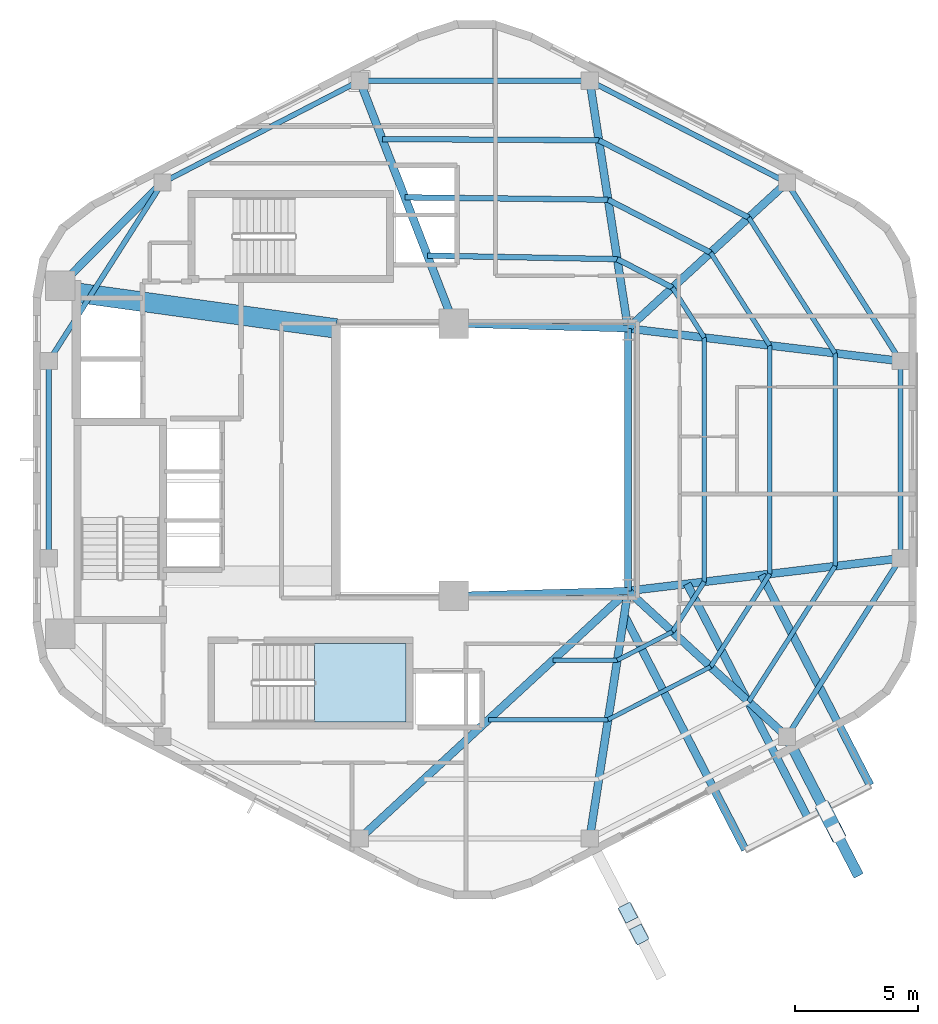
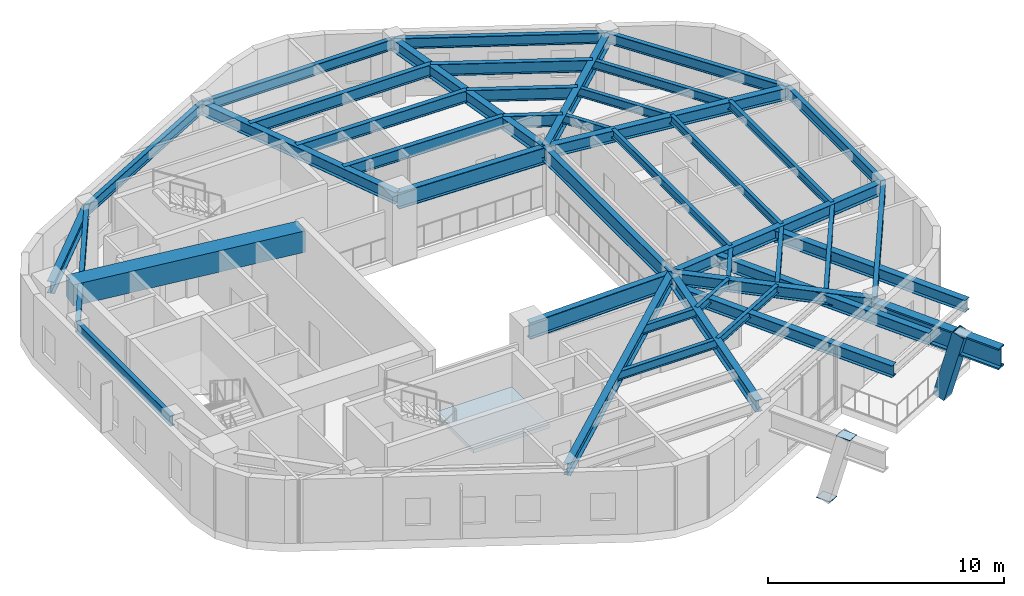
# One storey, part 3 of 9: 44 beams, 2 plates, 1 member, 1 slab, 1 element without a shape of its own.
"""IFC4 building model written with IfcOpenShell, lengths in metres."""

from ifc_helpers import new_model, si_unit, direction, frame, origin, origin_2d, place, context, subcontext, project, spatial, polyline, rectangle, hollow_rectangle, i_section, outline, extrude, material, layer, layer_set, material_profile, profile_set, type_object, element, aggregate, save


model = new_model("IFC4")

# Units and contexts
model_context = context("Model", 3, precision=1e-05, world=origin(), true_north=direction((0.0, 1.0)))
body_context = subcontext(model_context, "Body", "Model", "MODEL_VIEW")
ifc_project = project(units=[si_unit("LENGTHUNIT", "METRE"), si_unit("AREAUNIT", "SQUARE_METRE"), si_unit("VOLUMEUNIT", "CUBIC_METRE"), si_unit("PLANEANGLEUNIT", "RADIAN"), si_unit("MASSUNIT", "GRAM", prefix="KILO"), si_unit("THERMODYNAMICTEMPERATUREUNIT", "KELVIN"), si_unit("POWERUNIT", "WATT")], contexts=[model_context])

# Site, building, storey
site_placement = place(None, origin())
site = spatial("IfcSite", under=ifc_project, at=site_placement, CompositionType="ELEMENT")
building_placement = place(site_placement, origin())
building = spatial("IfcBuilding", under=site, at=building_placement, Name="Skarre Station Tower", CompositionType="ELEMENT")
storey_placement = place(building_placement, frame((0.0, 0.0, 220.60009765625)))
storey = spatial("IfcBuildingStorey", under=building, at=storey_placement, Name="L60", CompositionType="ELEMENT", Elevation=220.60009765625)

# Beams
ifc_material_1 = material(Name="Concrete C70/85", Category="concrete")
ifc_material_profile_1 = material_profile(ifc_material_1, rectangle(XDim=0.800048828125, YDim=1.10009765625, at=origin_2d()), Name="Concrete C70/85")
ifc_profile_set_1 = profile_set([ifc_material_profile_1], Name="Concrete C70/85")
beam_type_1 = type_object("IfcBeamType", Name="RC Core Coupling Lintel 800x1100", PredefinedType="LINTEL", material=ifc_profile_set_1)
beam_1_placement = place(storey_placement, frame((17.050048828125, 30.800048828125, 2.739990234375), z_axis=(0.990599723633, -0.136792498109, 0.0), x_axis=(0.136792498109, 0.990599723633, 0.0)))
element("IfcBeam", 1, at=beam_1_placement, inside=storey, type_object=beam_type_1, Name="L60 North Core Coupling Lintel", PredefinedType="LINTEL", context=body_context, shape_type="SweptSolid", body=[
    extrude(rectangle(XDim=0.800048828125, YDim=1.10009765625, at=origin_2d()), origin(), (0.0, 0.0, 1.0), 10.599609375),
])
ifc_material_2 = material(Name="Steel ASTM A992 Grade 50", Category="steel")
ifc_material_profile_2 = material_profile(ifc_material_2, i_section(OverallWidth=0.323974609375, OverallDepth=0.611083984375, WebThickness=0.012939453125, FlangeThickness=0.01904296875, at=origin_2d()), Name="Steel ASTM A992 Grade 50")
ifc_profile_set_2 = profile_set([ifc_material_profile_2], Name="Steel ASTM A992 Grade 50")
beam_type_2 = type_object("IfcBeamType", Name="Steel Beam W24X104", PredefinedType="BEAM", material=ifc_profile_set_2)
beam_2_placement = place(storey_placement, frame((39.449951171875, 29.35009765625, 2.98388671875), z_axis=(0.736547671183, 0.676385635621, 0.0), x_axis=(-0.676385635621, 0.736547671183, 0.0)))
element("IfcBeam", 2, at=beam_2_placement, inside=storey, type_object=beam_type_2, Name="L60 Radial Floor Girder F0C1", PredefinedType="BEAM", context=body_context, shape_type="SweptSolid", body=[
    extrude(i_section(OverallWidth=0.323974609375, OverallDepth=0.611083984375, WebThickness=0.012939453125, FlangeThickness=0.01904296875, at=origin_2d()), origin(), (0.0, 0.0, 1.0), 8.793701171875),
])
beam_3_placement = place(storey_placement, frame((39.449951171875, 29.35009765625, 2.98388671875), z_axis=(-0.152789762931, 0.988258715288, 0.0), x_axis=(-0.988258715288, -0.152789762931, 0.0)))
element("IfcBeam", 3, at=beam_3_placement, inside=storey, type_object=beam_type_2, Name="L60 Radial Floor Girder F0C2", PredefinedType="BEAM", context=body_context, shape_type="SweptSolid", body=[
    extrude(i_section(OverallWidth=0.323974609375, OverallDepth=0.611083984375, WebThickness=0.012939453125, FlangeThickness=0.01904296875, at=origin_2d()), origin(), (0.0, 0.0, 1.0), 10.216796875),
])
beam_4_placement = place(storey_placement, frame((32.35009765625, 29.550048828125, 2.98388671875), z_axis=(-0.361651478681, 0.932313363611, 0.0), x_axis=(-0.932313363611, -0.361651478681, 0.0)))
element("IfcBeam", 4, at=beam_4_placement, inside=storey, type_object=beam_type_2, Name="L60 Radial Floor Girder F1C1", PredefinedType="BEAM", context=body_context, shape_type="SweptSolid", body=[
    extrude(i_section(OverallWidth=0.323974609375, OverallDepth=0.611083984375, WebThickness=0.012939453125, FlangeThickness=0.01904296875, at=origin_2d()), origin(), (0.0, 0.0, 1.0), 10.615478515625),
])
beam_5_placement = place(storey_placement, frame((16.300048828125, 31.10009765625, 2.98388671875), z_axis=(0.704979413242, 0.709227768002, 0.0), x_axis=(-0.709227768002, 0.704979413242, 0.0)))
element("IfcBeam", 5, at=beam_5_placement, inside=storey, type_object=beam_type_2, Name="L60 Radial Floor Girder F1C2", PredefinedType="BEAM", context=body_context, shape_type="SweptSolid", body=[
    extrude(i_section(OverallWidth=0.323974609375, OverallDepth=0.611083984375, WebThickness=0.012939453125, FlangeThickness=0.01904296875, at=origin_2d()), origin(), (0.0, 0.0, 1.0), 5.919189453125),
])
beam_6_placement = place(storey_placement, frame((39.449951171875, 18.64990234375, 2.98388671875), z_axis=(-0.734822935818, -0.678258986668, 0.0), x_axis=(0.678258986668, -0.734822935818, 0.0)))
element("IfcBeam", 6, at=beam_6_placement, inside=storey, type_object=beam_type_2, Name="L60 Radial Floor Girder F3C2", PredefinedType="BEAM", context=body_context, shape_type="SweptSolid", body=[
    extrude(i_section(OverallWidth=0.323974609375, OverallDepth=0.611083984375, WebThickness=0.012939453125, FlangeThickness=0.01904296875, at=origin_2d()), origin(), (0.0, 0.0, 1.0), 14.886474609375),
])
beam_7_placement = place(storey_placement, frame((39.449951171875, 18.64990234375, 2.98388671875), z_axis=(-0.152789762931, -0.988258715288, 0.0), x_axis=(0.988258715288, -0.152789762931, 0.0)))
element("IfcBeam", 7, at=beam_7_placement, inside=storey, type_object=beam_type_2, Name="L60 Radial Floor Girder F4C1", PredefinedType="BEAM", context=body_context, shape_type="SweptSolid", body=[
    extrude(i_section(OverallWidth=0.323974609375, OverallDepth=0.611083984375, WebThickness=0.012939453125, FlangeThickness=0.01904296875, at=origin_2d()), origin(), (0.0, 0.0, 1.0), 10.216796875),
])
beam_8_placement = place(storey_placement, frame((39.449951171875, 18.64990234375, 2.98388671875), z_axis=(0.736547671183, -0.676385635621, 0.0), x_axis=(0.676385635621, 0.736547671183, 0.0)))
element("IfcBeam", 8, at=beam_8_placement, inside=storey, type_object=beam_type_2, Name="L60 Radial Floor Girder F4C2", PredefinedType="BEAM", context=body_context, shape_type="SweptSolid", body=[
    extrude(i_section(OverallWidth=0.323974609375, OverallDepth=0.611083984375, WebThickness=0.012939453125, FlangeThickness=0.01904296875, at=origin_2d()), origin(), (0.0, 0.0, 1.0), 8.793701171875),
])
for number, where, z_axis, x_axis, name in (
    (9, (39.449951171875, 18.64990234375, 2.98388671875), (0.99292393128, 0.118752122891, 0.0), (-0.118752122891, 0.99292393128, 0.0), "L60 Radial Floor Girder F5C1"),
    (10, (39.449951171875, 29.35009765625, 2.98388671875), (0.99292393128, -0.118752122891, 0.0), (0.118752122891, 0.99292393128, 0.0), "L60 Radial Floor Girder F5C2"),
):
    element("IfcBeam", number, at=place(storey_placement, frame(where, z_axis=z_axis, x_axis=x_axis)), inside=storey, type_object=beam_type_2, Name=name, PredefinedType="BEAM", context=body_context, shape_type="SweptSolid", body=[
        extrude(i_section(OverallWidth=0.323974609375, OverallDepth=0.611083984375, WebThickness=0.012939453125, FlangeThickness=0.01904296875, at=origin_2d()), origin(), (0.0, 0.0, 1.0), 11.192138671875),
    ])
beam_9_placement = place(storey_placement, frame((41.860107421875, 18.93798828125, 2.8798828125), z_axis=(0.458784496655, -0.888547570831, 0.0), x_axis=(0.888547570831, 0.458784496655, 0.0)))
element("IfcBeam", 11, at=beam_9_placement, inside=storey, type_object=beam_type_2, Name="L60 SG-3-L61 Center Outrigger Beam", PredefinedType="BEAM", context=body_context, shape_type="SweptSolid", body=[
    extrude(i_section(OverallWidth=0.323974609375, OverallDepth=0.611083984375, WebThickness=0.012939453125, FlangeThickness=0.01904296875, at=origin_2d()), origin(), (0.0, 0.0, 1.0), 10.717529296875),
])
beam_10_placement = place(storey_placement, frame((44.89599609375, 19.301025390625, 2.8798828125), z_axis=(0.458786665445, -0.888546451014, 0.0), x_axis=(0.888546451014, 0.458786665445, 0.0)))
element("IfcBeam", 12, at=beam_10_placement, inside=storey, type_object=beam_type_2, Name="L60 SG-3-L61 Outrigger Beam 1", PredefinedType="BEAM", context=body_context, shape_type="SweptSolid", body=[
    extrude(i_section(OverallWidth=0.323974609375, OverallDepth=0.611083984375, WebThickness=0.012939453125, FlangeThickness=0.01904296875, at=origin_2d()), origin(), (0.0, 0.0, 1.0), 9.647216796875),
])
beam_11_placement = place(storey_placement, frame((39.297119140625, 17.658935546875, 2.8798828125), z_axis=(0.45869784472, -0.888592306544, 0.0), x_axis=(0.888592306544, 0.45869784472, 0.0)))
element("IfcBeam", 13, at=beam_11_placement, inside=storey, type_object=beam_type_2, Name="L60 SG-3-L61 Outrigger Beam 2", PredefinedType="BEAM", context=body_context, shape_type="SweptSolid", body=[
    extrude(i_section(OverallWidth=0.323974609375, OverallDepth=0.611083984375, WebThickness=0.012939453125, FlangeThickness=0.01904296875, at=origin_2d()), origin(), (0.0, 0.0, 1.0), 10.756103515625),
])
ifc_material_profile_3 = material_profile(ifc_material_2, i_section(OverallWidth=0.26806640625, OverallDepth=0.77001953125, WebThickness=0.01611328125, FlangeThickness=0.02490234375, at=origin_2d()), Name="Steel ASTM A992 Grade 50")
ifc_profile_set_3 = profile_set([ifc_material_profile_3], Name="Steel ASTM A992 Grade 50")
beam_type_3 = type_object("IfcBeamType", Name="Steel Beam W30X132", PredefinedType="BEAM", material=ifc_profile_set_3)
beam_12_placement = place(storey_placement, frame((39.449951171875, 18.64990234375, 2.90478515625), z_axis=(0.0, 1.0, 0.0), x_axis=(-1.0, 0.0, 0.0)))
element("IfcBeam", 14, at=beam_12_placement, inside=storey, type_object=beam_type_3, Name="L60 Atrium East Edge Girder", PredefinedType="BEAM", context=body_context, shape_type="SweptSolid", body=[
    extrude(i_section(OverallWidth=0.26806640625, OverallDepth=0.77001953125, WebThickness=0.01611328125, FlangeThickness=0.02490234375, at=origin_2d()), origin(), (0.0, 0.0, 1.0), 10.7001953125),
])
ifc_material_profile_4 = material_profile(ifc_material_2, i_section(OverallWidth=0.2919921875, OverallDepth=0.85888671875, WebThickness=0.01708984375, FlangeThickness=0.031005859375, at=origin_2d()), Name="Steel ASTM A992 Grade 50")
ifc_profile_set_4 = profile_set([ifc_material_profile_4], Name="Steel ASTM A992 Grade 50")
beam_type_4 = type_object("IfcBeamType", Name="Steel Beam W33X169", PredefinedType="BEAM", material=ifc_profile_set_4)
for number, where, z_axis, x_axis, name in (
    (15, (32.35009765625, 18.449951171875, 2.85986328125), (0.999603666405, 0.028151556095, 0.0), (-0.028151556095, 0.999603666405, 0.0), "L60 Atrium South Edge Girder"),
    (16, (32.35009765625, 29.550048828125, 2.85986328125), (0.999603666405, -0.028151556095, 0.0), (0.028151556095, 0.999603666405, 0.0), "L60 Atrium North Edge Girder"),
):
    element("IfcBeam", number, at=place(storey_placement, frame(where, z_axis=z_axis, x_axis=x_axis)), inside=storey, type_object=beam_type_4, Name=name, PredefinedType="BEAM", context=body_context, shape_type="SweptSolid", body=[
        extrude(i_section(OverallWidth=0.2919921875, OverallDepth=0.85888671875, WebThickness=0.01708984375, FlangeThickness=0.031005859375, at=origin_2d()), origin(), (0.0, 0.0, 1.0), 7.102783203125),
    ])
ifc_material_profile_5 = material_profile(ifc_material_2, i_section(OverallWidth=0.177978515625, OverallDepth=0.403076171875, WebThickness=0.008056640625, FlangeThickness=0.010986328125, at=origin_2d()), Name="Steel ASTM A992 Grade 50")
ifc_profile_set_5 = profile_set([ifc_material_profile_5], Name="Steel ASTM A992 Grade 50")
beam_type_5 = type_object("IfcBeamType", Name="Steel Joist W16X36", PredefinedType="JOIST", material=ifc_profile_set_5)
beam_13_placement = place(storey_placement, frame((39.012939453125, 15.822998046875, 3.087890625), z_axis=(0.888569970054, 0.458741112522, 0.0), x_axis=(-0.458741112522, 0.888569970054, 0.0)))
element("IfcBeam", 17, at=beam_13_placement, inside=storey, type_object=beam_type_5, Name="L60 Auxiliary Composite Joist 15", PredefinedType="JOIST", context=body_context, shape_type="SweptSolid", body=[
    extrude(i_section(OverallWidth=0.177978515625, OverallDepth=0.403076171875, WebThickness=0.008056640625, FlangeThickness=0.010986328125, at=origin_2d()), origin(), (0.0, 0.0, 1.0), 2.533203125),
])
beam_14_placement = place(storey_placement, frame((38.637939453125, 13.39990234375, 3.087890625), z_axis=(0.88866637077, 0.458554338614, 0.0), x_axis=(-0.458554338614, 0.88866637077, 0.0)))
element("IfcBeam", 18, at=beam_14_placement, inside=storey, type_object=beam_type_5, Name="L60 Auxiliary Composite Joist 16", PredefinedType="JOIST", context=body_context, shape_type="SweptSolid", body=[
    extrude(i_section(OverallWidth=0.177978515625, OverallDepth=0.403076171875, WebThickness=0.008056640625, FlangeThickness=0.010986328125, at=origin_2d()), origin(), (0.0, 0.0, 1.0), 4.703857421875),
])
beam_15_placement = place(storey_placement, frame((42.56201171875, 19.02197265625, 3.087890625), z_axis=(0.0, 1.0, 0.0), x_axis=(-1.0, 0.0, 0.0)))
element("IfcBeam", 19, at=beam_15_placement, inside=storey, type_object=beam_type_5, Name="L60 Auxiliary Composite Joist 21", PredefinedType="JOIST", context=body_context, shape_type="SweptSolid", body=[
    extrude(i_section(OverallWidth=0.177978515625, OverallDepth=0.403076171875, WebThickness=0.008056640625, FlangeThickness=0.010986328125, at=origin_2d()), origin(), (0.0, 0.0, 1.0), 9.9560546875),
])
beam_16_placement = place(storey_placement, frame((45.22900390625, 19.341064453125, 3.087890625), z_axis=(0.0, 1.0, 0.0), x_axis=(-1.0, 0.0, 0.0)))
element("IfcBeam", 20, at=beam_16_placement, inside=storey, type_object=beam_type_5, Name="L60 Auxiliary Composite Joist 22", PredefinedType="JOIST", context=body_context, shape_type="SweptSolid", body=[
    extrude(i_section(OverallWidth=0.177978515625, OverallDepth=0.403076171875, WebThickness=0.008056640625, FlangeThickness=0.010986328125, at=origin_2d()), origin(), (0.0, 0.0, 1.0), 9.31787109375),
])
beam_17_placement = place(storey_placement, frame((47.89599609375, 19.659912109375, 3.087890625), z_axis=(0.0, 1.0, 0.0), x_axis=(-1.0, 0.0, 0.0)))
element("IfcBeam", 21, at=beam_17_placement, inside=storey, type_object=beam_type_5, Name="L60 Auxiliary Composite Joist 23", PredefinedType="JOIST", context=body_context, shape_type="SweptSolid", body=[
    extrude(i_section(OverallWidth=0.177978515625, OverallDepth=0.403076171875, WebThickness=0.008056640625, FlangeThickness=0.010986328125, at=origin_2d()), origin(), (0.0, 0.0, 1.0), 8.68017578125),
])
ifc_material_profile_6 = material_profile(ifc_material_2, i_section(OverallWidth=0.19091796875, OverallDepth=0.45703125, WebThickness=0.009033203125, FlangeThickness=0.013916015625, at=origin_2d()), Name="Steel ASTM A992 Grade 50")
ifc_profile_set_6 = profile_set([ifc_material_profile_6], Name="Steel ASTM A992 Grade 50")
beam_type_6 = type_object("IfcBeamType", Name="Steel Joist W18X50", PredefinedType="JOIST", material=ifc_profile_set_6)
beam_18_placement = place(storey_placement, frame((36.386962890625, 15.822998046875, 3.060791015625), z_axis=(1.0, 0.0, 0.0), x_axis=(0.0, 1.0, 0.0)))
element("IfcBeam", 22, at=beam_18_placement, inside=storey, type_object=beam_type_6, Name="L60 Auxiliary Composite Joist 12", PredefinedType="JOIST", context=body_context, shape_type="SweptSolid", body=[
    extrude(i_section(OverallWidth=0.19091796875, OverallDepth=0.45703125, WebThickness=0.009033203125, FlangeThickness=0.013916015625, at=origin_2d()), origin(), (0.0, 0.0, 1.0), 2.6259765625),
])
beam_19_placement = place(storey_placement, frame((33.761962890625, 13.39990234375, 3.060791015625), z_axis=(1.0, 0.0, 0.0), x_axis=(0.0, 1.0, 0.0)))
element("IfcBeam", 23, at=beam_19_placement, inside=storey, type_object=beam_type_6, Name="L60 Auxiliary Composite Joist 13", PredefinedType="JOIST", context=body_context, shape_type="SweptSolid", body=[
    extrude(i_section(OverallWidth=0.19091796875, OverallDepth=0.45703125, WebThickness=0.009033203125, FlangeThickness=0.013916015625, at=origin_2d()), origin(), (0.0, 0.0, 1.0), 4.8759765625),
])
beam_20_placement = place(storey_placement, frame((41.263916015625, 16.985107421875, 3.060791015625), z_axis=(0.537437848622, 0.843303361116, 0.0), x_axis=(-0.843303361116, 0.537437848622, 0.0)))
element("IfcBeam", 24, at=beam_20_placement, inside=storey, type_object=beam_type_6, Name="L60 Auxiliary Composite Joist 18", PredefinedType="JOIST", context=body_context, shape_type="SweptSolid", body=[
    extrude(i_section(OverallWidth=0.19091796875, OverallDepth=0.45703125, WebThickness=0.009033203125, FlangeThickness=0.013916015625, at=origin_2d()), origin(), (0.0, 0.0, 1.0), 2.415283203125),
])
beam_21_placement = place(storey_placement, frame((42.818115234375, 15.556884765625, 3.060791015625), z_axis=(0.53731551376, 0.843381312737, 0.0), x_axis=(-0.843381312737, 0.53731551376, 0.0)))
element("IfcBeam", 25, at=beam_21_placement, inside=storey, type_object=beam_type_6, Name="L60 Auxiliary Composite Joist 19", PredefinedType="JOIST", context=body_context, shape_type="SweptSolid", body=[
    extrude(i_section(OverallWidth=0.19091796875, OverallDepth=0.45703125, WebThickness=0.009033203125, FlangeThickness=0.013916015625, at=origin_2d()), origin(), (0.0, 0.0, 1.0), 4.48681640625),
])
beam_22_placement = place(storey_placement, frame((44.373046875, 14.1298828125, 3.060791015625), z_axis=(0.537292232804, 0.843396144507, 0.0), x_axis=(-0.843396144507, 0.537292232804, 0.0)))
element("IfcBeam", 26, at=beam_22_placement, inside=storey, type_object=beam_type_6, Name="L60 Auxiliary Composite Joist 20", PredefinedType="JOIST", context=body_context, shape_type="SweptSolid", body=[
    extrude(i_section(OverallWidth=0.19091796875, OverallDepth=0.45703125, WebThickness=0.009033203125, FlangeThickness=0.013916015625, at=origin_2d()), origin(), (0.0, 0.0, 1.0), 6.556884765625),
])
beam_23_placement = place(storey_placement, frame((42.56201171875, 28.97802734375, 3.060791015625), z_axis=(-0.537437848622, 0.843303361116, 0.0), x_axis=(-0.843303361116, -0.537437848622, 0.0)))
element("IfcBeam", 27, at=beam_23_placement, inside=storey, type_object=beam_type_6, Name="L60 Auxiliary Composite Joist 24", PredefinedType="JOIST", context=body_context, shape_type="SweptSolid", body=[
    extrude(i_section(OverallWidth=0.19091796875, OverallDepth=0.45703125, WebThickness=0.009033203125, FlangeThickness=0.013916015625, at=origin_2d()), origin(), (0.0, 0.0, 1.0), 2.415283203125),
])
beam_24_placement = place(storey_placement, frame((45.22900390625, 28.658935546875, 3.060791015625), z_axis=(-0.53731551376, 0.843381312737, 0.0), x_axis=(-0.843381312737, -0.53731551376, 0.0)))
element("IfcBeam", 28, at=beam_24_placement, inside=storey, type_object=beam_type_6, Name="L60 Auxiliary Composite Joist 25", PredefinedType="JOIST", context=body_context, shape_type="SweptSolid", body=[
    extrude(i_section(OverallWidth=0.19091796875, OverallDepth=0.45703125, WebThickness=0.009033203125, FlangeThickness=0.013916015625, at=origin_2d()), origin(), (0.0, 0.0, 1.0), 4.48681640625),
])
beam_25_placement = place(storey_placement, frame((47.89599609375, 28.340087890625, 3.060791015625), z_axis=(-0.537292232804, 0.843396144507, 0.0), x_axis=(-0.843396144507, -0.537292232804, 0.0)))
element("IfcBeam", 29, at=beam_25_placement, inside=storey, type_object=beam_type_6, Name="L60 Auxiliary Composite Joist 26", PredefinedType="JOIST", context=body_context, shape_type="SweptSolid", body=[
    extrude(i_section(OverallWidth=0.19091796875, OverallDepth=0.45703125, WebThickness=0.009033203125, FlangeThickness=0.013916015625, at=origin_2d()), origin(), (0.0, 0.0, 1.0), 6.556884765625),
])
ifc_material_profile_7 = material_profile(ifc_material_2, i_section(OverallWidth=0.22802734375, OverallDepth=0.60791015625, WebThickness=0.010986328125, FlangeThickness=0.01708984375, at=origin_2d()), Name="Steel ASTM A992 Grade 50")
ifc_profile_set_7 = profile_set([ifc_material_profile_7], Name="Steel ASTM A992 Grade 50")
beam_type_7 = type_object("IfcBeamType", Name="Steel Joist W24X76", PredefinedType="JOIST", material=ifc_profile_set_7)
beam_26_placement = place(storey_placement, frame((41.263916015625, 31.014892578125, 2.98583984375), z_axis=(-0.888569970054, 0.458741112522, 0.0), x_axis=(-0.458741112522, -0.888569970054, 0.0)))
element("IfcBeam", 30, at=beam_26_placement, inside=storey, type_object=beam_type_7, Name="L60 Secondary Floor Joist 1", PredefinedType="JOIST", context=body_context, shape_type="SweptSolid", body=[
    extrude(i_section(OverallWidth=0.22802734375, OverallDepth=0.60791015625, WebThickness=0.010986328125, FlangeThickness=0.01708984375, at=origin_2d()), origin(), (0.0, 0.0, 1.0), 2.533203125),
])
beam_27_placement = place(storey_placement, frame((42.818115234375, 32.443115234375, 2.98583984375), z_axis=(-0.88866637077, 0.458554338614, 0.0), x_axis=(-0.458554338614, -0.88866637077, 0.0)))
element("IfcBeam", 31, at=beam_27_placement, inside=storey, type_object=beam_type_7, Name="L60 Secondary Floor Joist 2", PredefinedType="JOIST", context=body_context, shape_type="SweptSolid", body=[
    extrude(i_section(OverallWidth=0.22802734375, OverallDepth=0.60791015625, WebThickness=0.010986328125, FlangeThickness=0.01708984375, at=origin_2d()), origin(), (0.0, 0.0, 1.0), 4.703857421875),
])
beam_28_placement = place(storey_placement, frame((44.373046875, 33.8701171875, 2.98583984375), z_axis=(-0.888578636, 0.458724326414, 0.0), x_axis=(-0.458724326414, -0.888578636, 0.0)))
element("IfcBeam", 32, at=beam_28_placement, inside=storey, type_object=beam_type_7, Name="L60 Secondary Floor Joist 3", PredefinedType="JOIST", context=body_context, shape_type="SweptSolid", body=[
    extrude(i_section(OverallWidth=0.22802734375, OverallDepth=0.60791015625, WebThickness=0.010986328125, FlangeThickness=0.01708984375, at=origin_2d()), origin(), (0.0, 0.0, 1.0), 6.875244140625),
])
beam_29_placement = place(storey_placement, frame((39.012939453125, 32.177001953125, 2.98583984375), z_axis=(-0.999826787326, 0.018611699149, 0.0), x_axis=(-0.018611699149, -0.999826787326, 0.0)))
element("IfcBeam", 33, at=beam_29_placement, inside=storey, type_object=beam_type_7, Name="L60 Secondary Floor Joist 4", PredefinedType="JOIST", context=body_context, shape_type="SweptSolid", body=[
    extrude(i_section(OverallWidth=0.22802734375, OverallDepth=0.60791015625, WebThickness=0.010986328125, FlangeThickness=0.01708984375, at=origin_2d()), origin(), (0.0, 0.0, 1.0), 7.7392578125),
])
beam_30_placement = place(storey_placement, frame((38.637939453125, 34.60009765625, 2.98583984375), z_axis=(-0.999932931577, 0.011581552035, 0.0), x_axis=(-0.011581552035, -0.999932931577, 0.0)))
element("IfcBeam", 34, at=beam_30_placement, inside=storey, type_object=beam_type_7, Name="L60 Secondary Floor Joist 5", PredefinedType="JOIST", context=body_context, shape_type="SweptSolid", body=[
    extrude(i_section(OverallWidth=0.22802734375, OverallDepth=0.60791015625, WebThickness=0.010986328125, FlangeThickness=0.01708984375, at=origin_2d()), origin(), (0.0, 0.0, 1.0), 8.284423828125),
])
beam_31_placement = place(storey_placement, frame((38.263916015625, 37.02392578125, 2.98583984375), z_axis=(-0.999985173054, 0.005445518551, 0.0), x_axis=(-0.005445518551, -0.999985173054, 0.0)))
element("IfcBeam", 35, at=beam_31_placement, inside=storey, type_object=beam_type_7, Name="L60 Secondary Floor Joist 6", PredefinedType="JOIST", context=body_context, shape_type="SweptSolid", body=[
    extrude(i_section(OverallWidth=0.22802734375, OverallDepth=0.60791015625, WebThickness=0.010986328125, FlangeThickness=0.01708984375, at=origin_2d()), origin(), (0.0, 0.0, 1.0), 8.832275390625),
])
ifc_material_profile_8 = material_profile(ifc_material_2, i_section(OverallWidth=0.214111328125, OverallDepth=0.549072265625, WebThickness=0.014892578125, FlangeThickness=0.02392578125, at=origin_2d()), Name="Steel ASTM A992 Grade 50")
ifc_profile_set_8 = profile_set([ifc_material_profile_8], Name="Steel ASTM A992 Grade 50")
beam_type_8 = type_object("IfcBeamType", Name="Steel Spandrel W21X93", PredefinedType="SPANDREL", material=ifc_profile_set_8)
beam_32_placement = place(storey_placement, frame((45.927001953125, 35.298095703125, 3.014892578125), z_axis=(-0.888610011727, 0.458663544505, 0.0), x_axis=(-0.458663544505, -0.888610011727, 0.0)))
element("IfcBeam", 36, at=beam_32_placement, inside=storey, type_object=beam_type_8, Name="L60 Facet Spandrel Beam 1", PredefinedType="SPANDREL", context=body_context, shape_type="SweptSolid", body=[
    extrude(i_section(OverallWidth=0.214111328125, OverallDepth=0.549072265625, WebThickness=0.014892578125, FlangeThickness=0.02392578125, at=origin_2d()), origin(), (0.0, 0.0, 1.0), 9.045654296875),
])
beam_33_placement = place(storey_placement, frame((37.888916015625, 39.447021484375, 3.014892578125), z_axis=(-1.0, 0.0, 0.0), x_axis=(0.0, -1.0, 0.0)))
element("IfcBeam", 37, at=beam_33_placement, inside=storey, type_object=beam_type_8, Name="L60 Facet Spandrel Beam 2", PredefinedType="SPANDREL", context=body_context, shape_type="SweptSolid", body=[
    extrude(i_section(OverallWidth=0.214111328125, OverallDepth=0.549072265625, WebThickness=0.014892578125, FlangeThickness=0.02392578125, at=origin_2d()), origin(), (0.0, 0.0, 1.0), 9.3779296875),
])
beam_34_placement = place(storey_placement, frame((28.510986328125, 39.447021484375, 3.014892578125), z_axis=(-0.888610011727, -0.458663544505, 0.0), x_axis=(0.458663544505, -0.888610011727, 0.0)))
element("IfcBeam", 38, at=beam_34_placement, inside=storey, type_object=beam_type_8, Name="L60 Facet Spandrel Beam 3", PredefinedType="SPANDREL", context=body_context, shape_type="SweptSolid", body=[
    extrude(i_section(OverallWidth=0.214111328125, OverallDepth=0.549072265625, WebThickness=0.014892578125, FlangeThickness=0.02392578125, at=origin_2d()), origin(), (0.0, 0.0, 1.0), 9.045654296875),
])
beam_35_placement = place(storey_placement, frame((20.472900390625, 35.298095703125, 3.014892578125), z_axis=(-0.537296523663, -0.843393410965, 0.0), x_axis=(0.843393410965, -0.537296523663, 0.0)))
element("IfcBeam", 39, at=beam_35_placement, inside=storey, type_object=beam_type_8, Name="L60 Facet Spandrel Beam 4", PredefinedType="SPANDREL", context=body_context, shape_type="SweptSolid", body=[
    extrude(i_section(OverallWidth=0.214111328125, OverallDepth=0.549072265625, WebThickness=0.014892578125, FlangeThickness=0.02392578125, at=origin_2d()), origin(), (0.0, 0.0, 1.0), 8.62841796875),
])
beam_36_placement = place(storey_placement, frame((15.8369140625, 28.02099609375, 3.014892578125), z_axis=(0.0, -1.0, 0.0), x_axis=(1.0, 0.0, 0.0)))
element("IfcBeam", 40, at=beam_36_placement, inside=storey, type_object=beam_type_8, Name="L60 Facet Spandrel Beam 5", PredefinedType="SPANDREL", context=body_context, shape_type="SweptSolid", body=[
    extrude(i_section(OverallWidth=0.214111328125, OverallDepth=0.549072265625, WebThickness=0.014892578125, FlangeThickness=0.02392578125, at=origin_2d()), origin(), (0.0, 0.0, 1.0), 8.0419921875),
])
beam_37_placement = place(storey_placement, frame((45.927001953125, 12.701904296875, 3.014892578125), z_axis=(0.537296523663, 0.843393410965, 0.0), x_axis=(-0.843393410965, 0.537296523663, 0.0)))
element("IfcBeam", 41, at=beam_37_placement, inside=storey, type_object=beam_type_8, Name="L60 Facet Spandrel Beam 10", PredefinedType="SPANDREL", context=body_context, shape_type="SweptSolid", body=[
    extrude(i_section(OverallWidth=0.214111328125, OverallDepth=0.549072265625, WebThickness=0.014892578125, FlangeThickness=0.02392578125, at=origin_2d()), origin(), (0.0, 0.0, 1.0), 8.62841796875),
])
beam_38_placement = place(storey_placement, frame((50.56298828125, 19.97900390625, 3.014892578125), z_axis=(0.0, 1.0, 0.0), x_axis=(-1.0, 0.0, 0.0)))
element("IfcBeam", 42, at=beam_38_placement, inside=storey, type_object=beam_type_8, Name="L60 Facet Spandrel Beam 11", PredefinedType="SPANDREL", context=body_context, shape_type="SweptSolid", body=[
    extrude(i_section(OverallWidth=0.214111328125, OverallDepth=0.549072265625, WebThickness=0.014892578125, FlangeThickness=0.02392578125, at=origin_2d()), origin(), (0.0, 0.0, 1.0), 8.0419921875),
])
beam_39_placement = place(storey_placement, frame((50.56298828125, 28.02099609375, 3.014892578125), z_axis=(-0.537296523663, 0.843393410965, 0.0), x_axis=(-0.843393410965, -0.537296523663, 0.0)))
element("IfcBeam", 43, at=beam_39_placement, inside=storey, type_object=beam_type_8, Name="L60 Facet Spandrel Beam 12", PredefinedType="SPANDREL", context=body_context, shape_type="SweptSolid", body=[
    extrude(i_section(OverallWidth=0.214111328125, OverallDepth=0.549072265625, WebThickness=0.014892578125, FlangeThickness=0.02392578125, at=origin_2d()), origin(), (0.0, 0.0, 1.0), 8.62841796875),
])
ifc_material_3 = material(Name="Steel ASTM A913 Grade 65", Category="steel")
ifc_material_profile_9 = material_profile(ifc_material_3, i_section(OverallWidth=0.424072265625, OverallDepth=1.092041015625, WebThickness=0.044921875, FlangeThickness=0.08203125, at=origin_2d()), Name="Steel ASTM A913 Grade 65")
ifc_profile_set_9 = profile_set([ifc_material_profile_9], Name="Steel ASTM A913 Grade 65")
beam_type_9 = type_object("IfcBeamType", Name="Steel Transfer Girder W40X593", PredefinedType="USERDEFINED", material=ifc_profile_set_9)
beam_40_placement = place(storey_placement, frame((45.927001953125, 12.701904296875, 2.583984375), z_axis=(0.458778404027, -0.888550716616, 0.0), x_axis=(0.888550716616, 0.458778404027, 0.0)))
element("IfcBeam", 44, at=beam_40_placement, inside=storey, type_object=beam_type_9, Name="L60 SB-5 Exoskeleton Tier-1 Transfer Girder S2", ObjectType="TRANSFER_GIRDER", PredefinedType="USERDEFINED", context=body_context, shape_type="SweptSolid", body=[
    extrude(i_section(OverallWidth=0.424072265625, OverallDepth=1.092041015625, WebThickness=0.044921875, FlangeThickness=0.08203125, at=origin_2d()), origin(), (0.0, 0.0, 1.0), 6.3798828125),
])

# Member
ifc_material_4 = material(Name="Steel ASTM A501 Grade B", Category="steel")
ifc_material_profile_10 = material_profile(ifc_material_4, hollow_rectangle(XDim=0.60009765625, YDim=0.60009765625, WallThickness=0.028076171875, at=origin_2d()), Name="Steel ASTM A501 Grade B")
ifc_profile_set_10 = profile_set([ifc_material_profile_10], Name="Steel ASTM A501 Grade B")
member_type = type_object("IfcMemberType", Name="Steel Truss Strut HSS600X600X28", PredefinedType="STRUT", material=ifc_profile_set_10)
member_placement = place(storey_placement, frame((47.487060546875, 9.680908203125, -0.440185546875), z_axis=(0.123536498026, -0.239763533748, 0.962939344684), x_axis=(0.888941422314, 0.45802090312, 0.0)))
element("IfcMember", 45, at=member_placement, inside=storey, type_object=member_type, Name="L60 SB-5 Exoskeleton Raking Strut Tier 1 S2", PredefinedType="STRUT", context=body_context, shape_type="SweptSolid", body=[
    extrude(hollow_rectangle(XDim=0.60009765625, YDim=0.60009765625, WallThickness=0.028076171875, at=origin_2d()), origin(), (0.0, 0.0, 1.0), 3.70751953125),
])

# Plates
ifc_material_5 = material(Name="Steel ASTM A572 Grade 50", Category="steel")
ifc_layer_1 = layer(ifc_material_5, 0.031982421875, Name="Steel ASTM A572 Grade 50")
ifc_layer_set_1 = layer_set([ifc_layer_1], Name="Steel ASTM A572 Grade 50")
plate_type = type_object("IfcPlateType", Name="Exoskeleton Strut Cap Plate 700x540x32", PredefinedType="USERDEFINED", material=ifc_layer_set_1)
for number, where, z_axis, x_axis, name in (
    (46, (39.448974609375, 5.531982421875, -0.4462890625), (0.0, 0.0, 1.0), (0.458711590553, -0.88858521071, 0.0), "L60 SB-5 Exoskeleton Tier-1 Base Gusset S1"),
    (47, (39.906982421875, 4.64306640625, 3.10400390625), (0.0, 0.0, 1.0), (0.458711590553, -0.88858521071, 0.0), "L60 SB-5 Exoskeleton Tier-1 Head Gusset S1"),
):
    element("IfcPlate", number, at=place(storey_placement, frame(where, z_axis=z_axis, x_axis=x_axis)), inside=storey, type_object=plate_type, Name=name, ObjectType="STIFFENER_PLATE", PredefinedType="USERDEFINED", context=body_context, shape_type="SweptSolid", body=[
        extrude(rectangle(XDim=0.699951171875, YDim=0.5400390625, at=origin_2d()), origin(), (0.0, 0.0, 1.0), 0.031982421875),
    ])

# Stair, slab
ifc_material_6 = material(Name="Concrete C40/50", Category="concrete")
stair_type = type_object("IfcStairType", Name="Reinforced Concrete Exit Stair ST-2", PredefinedType="HALF_TURN_STAIR", material=ifc_material_6)
stair_placement = place(storey_placement, origin())
stair = element("IfcStair", 48, at=stair_placement, inside=storey, type_object=stair_type, Name="L60 Core Exit Stair ST-2", PredefinedType="HALF_TURN_STAIR")
ifc_layer_2 = layer(ifc_material_6, 0.219970703125, Name="Concrete C40/50")
ifc_layer_set_2 = layer_set([ifc_layer_2], Name="Concrete C40/50")
slab_type = type_object("IfcSlabType", Name="Reinforced Concrete Stair & Ramp Landing 220", PredefinedType="LANDING", material=ifc_layer_set_2)
slab_placement = place(storey_placement, frame((0.0, 0.0, 1.574951171875)))
slab = element("IfcSlab", 49, at=slab_placement, type_object=slab_type, Name="ST-2 landing 1", PredefinedType="LANDING", context=body_context, shape_type="SweptSolid", body=[
    extrude(outline(polyline([(26.669921875, 13.300048828125), (30.39990234375, 13.300048828125), (30.39990234375, 16.5), (26.669921875, 16.5), (26.669921875, 13.300048828125)])), origin(), (0.0, 0.0, 1.0), 0.199951171875),
])
aggregate(stair, [slab])

save(model, "model.ifc")
